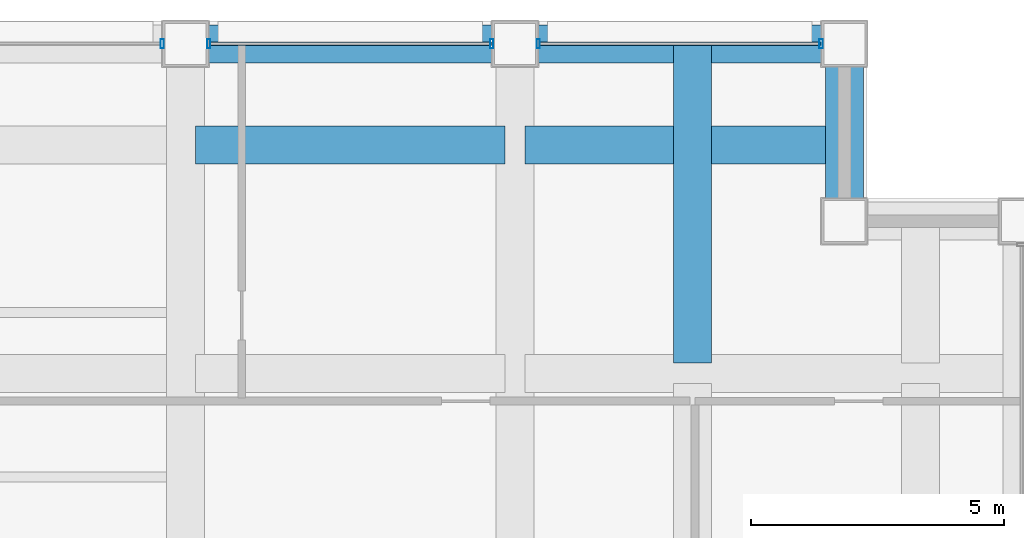
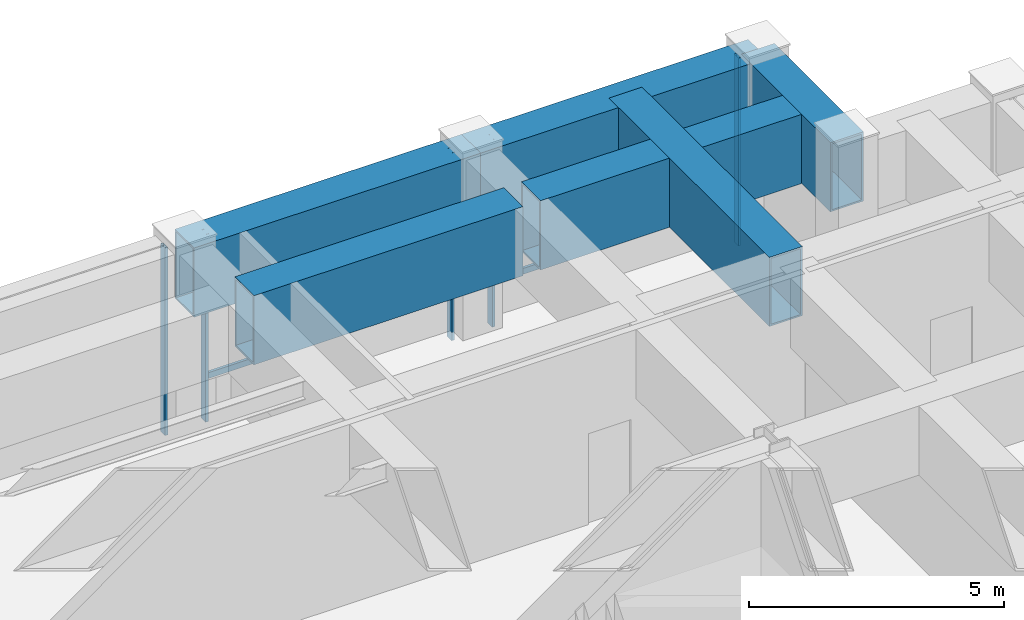
# One storey, part 22 of 29: 7 members, 6 beams, 3 elements without a shape of their own.
"""IFC4 building model written with IfcOpenShell, lengths in metres."""

from ifc_helpers import new_model, si_unit, direction, frame, origin, origin_2d, place, context, subcontext, project, spatial, hollow_rectangle, extrude, material, layer, layer_set, material_profile, profile_set, type_object, element, aggregate, save


model = new_model("IFC4")

# Units and contexts
model_context = context("Model", 3, precision=1e-05, world=origin(), true_north=direction((0.0, 1.0)))
body_context = subcontext(model_context, "Body", "Model", "MODEL_VIEW")
ifc_project = project(units=[si_unit("LENGTHUNIT", "METRE"), si_unit("AREAUNIT", "SQUARE_METRE"), si_unit("VOLUMEUNIT", "CUBIC_METRE"), si_unit("PLANEANGLEUNIT", "RADIAN"), si_unit("MASSUNIT", "GRAM", prefix="KILO")], contexts=[model_context])

# Site, building, storey
site_placement = place(None, origin())
site = spatial("IfcSite", under=ifc_project, at=site_placement, CompositionType="ELEMENT")
building_placement = place(site_placement, origin())
building = spatial("IfcBuilding", under=site, at=building_placement, Name="Brelmoor Portico Tower", CompositionType="ELEMENT")
storey_placement = place(building_placement, frame((0.0, 0.0, 82.800048828125)))
storey = spatial("IfcBuildingStorey", under=building, at=storey_placement, Name="L21", CompositionType="ELEMENT", Elevation=82.800048828125)

# Beams
ifc_material_1 = material(Name="Steel Q355B", Category="steel")
ifc_material_profile_1 = material_profile(ifc_material_1, hollow_rectangle(XDim=0.75, YDim=1.659912109375, WallThickness=0.0419921875, at=origin_2d()), Name="BOX 750x1660x42")
ifc_profile_set_1 = profile_set([ifc_material_profile_1], Name="Steel Q355B")
beam_type = type_object("IfcBeamType", Name="BM-TG-Z2", PredefinedType="BEAM", material=ifc_profile_set_1)
for number, where, z_axis, x_axis, name in (
    (1, (8.050048828125, 21.550048828125, 3.469970703125), (1.0, 0.0, 0.0), (0.0, 1.0, 0.0), "L21 Perimeter Transfer Beam SP-13"),
    (2, (14.550048828125, 21.550048828125, 3.469970703125), (1.0, 0.0, 0.0), (0.0, 1.0, 0.0), "L21 Perimeter Transfer Beam SP-14"),
):
    element("IfcBeam", number, at=place(storey_placement, frame(where, z_axis=z_axis, x_axis=x_axis)), inside=storey, type_object=beam_type, Name=name, PredefinedType="BEAM", context=body_context, shape_type="SweptSolid", body=[
        extrude(hollow_rectangle(XDim=0.75, YDim=1.659912109375, WallThickness=0.0419921875, at=origin_2d()), origin(), (0.0, 0.0, 1.0), 6.5),
    ])
beam_1_placement = place(storey_placement, frame((21.050048828125, 18.050048828125, 3.469970703125), z_axis=(0.0, 1.0, 0.0), x_axis=(-1.0, 0.0, 0.0)))
element("IfcBeam", 3, at=beam_1_placement, inside=storey, type_object=beam_type, Name="L21 Perimeter Transfer Beam SP-21", PredefinedType="BEAM", context=body_context, shape_type="SweptSolid", body=[
    extrude(hollow_rectangle(XDim=0.75, YDim=1.659912109375, WallThickness=0.0419921875, at=origin_2d()), origin(), (0.0, 0.0, 1.0), 3.5),
])
beam_2_placement = place(storey_placement, frame((8.25, 19.550048828125, 3.469970703125), z_axis=(1.0, 0.0, 0.0), x_axis=(0.0, 1.0, 0.0)))
element("IfcBeam", 4, at=beam_2_placement, inside=storey, type_object=beam_type, Name="L21 Setback Transfer Girder TGN-09", PredefinedType="BEAM", context=body_context, shape_type="SweptSolid", body=[
    extrude(hollow_rectangle(XDim=0.75, YDim=1.659912109375, WallThickness=0.0419921875, at=origin_2d()), origin(), (0.0, 0.0, 1.0), 6.10009765625),
])
for number, where, z_axis, x_axis, name in (
    (5, (14.75, 19.550048828125, 3.469970703125), (1.0, 0.0, 0.0), (0.0, 1.0, 0.0), "L21 Setback Transfer Girder TGN-10"),
    (6, (18.050048828125, 15.25, 3.469970703125), (0.0, 1.0, 0.0), (-1.0, 0.0, 0.0), "L21 Setback Transfer Girder TGN-30"),
):
    element("IfcBeam", number, at=place(storey_placement, frame(where, z_axis=z_axis, x_axis=x_axis)), inside=storey, type_object=beam_type, Name=name, PredefinedType="BEAM", context=body_context, shape_type="SweptSolid", body=[
        extrude(hollow_rectangle(XDim=0.75, YDim=1.659912109375, WallThickness=0.0419921875, at=origin_2d()), origin(), (0.0, 0.0, 1.0), 6.300048828125),
    ])

# Curtain wall, member
ifc_material_2 = material(Name="Anodised Aluminium Alloy 6063-T6", Category="aluminium")
ifc_layer = layer(ifc_material_2, 0.179931640625)
ifc_layer_set = layer_set([ifc_layer], Name="Anodised Aluminium Alloy 6063-T6")
curtain_wall_type = type_object("IfcCurtainWallType", Name="CW-TOWER-Z1", PredefinedType="NOTDEFINED", material=ifc_layer_set)
curtain_wall_1_placement = place(storey_placement, origin())
curtain_wall_1 = element("IfcCurtainWall", 7, at=curtain_wall_1_placement, inside=storey, type_object=curtain_wall_type, Name="L21 Curtain Wall CW-L21-02-3", PredefinedType="NOTDEFINED")
ifc_material_profile_2 = material_profile(ifc_material_2, hollow_rectangle(XDim=0.06494140625, YDim=0.179931640625, WallThickness=0.00390625, at=origin_2d()), Name="ALU MULLION 65x180")
ifc_profile_set_2 = profile_set([ifc_material_profile_2], Name="Anodised Aluminium Alloy 6063-T6")
member_type_1 = type_object("IfcMemberType", Name="MB-CW-MULL-180", PredefinedType="MULLION", material=ifc_profile_set_2)
member_1_placement = place(storey_placement, frame((7.590087890625, 21.550048828125, -0.199951171875), z_axis=(0.0, 0.0, 1.0), x_axis=(1.0, 0.0, 0.0)))
member_1 = element("IfcMember", 8, at=member_1_placement, type_object=member_type_1, Name="CW-L21-02-3 Mullion 01", PredefinedType="MULLION", context=body_context, shape_type="SweptSolid", body=[
    extrude(hollow_rectangle(XDim=0.06494140625, YDim=0.179931640625, WallThickness=0.00390625, at=origin_2d()), origin(), (0.0, 0.0, 1.0), 4.5),
])
aggregate(curtain_wall_1, [member_1])

# Curtain wall, members
curtain_wall_2_placement = place(storey_placement, origin())
curtain_wall_2 = element("IfcCurtainWall", 9, at=curtain_wall_2_placement, inside=storey, type_object=curtain_wall_type, Name="L21 Curtain Wall CW-L21-02-4", PredefinedType="NOTDEFINED")
member_2_placement = place(storey_placement, frame((8.510009765625, 21.550048828125, -0.199951171875), z_axis=(0.0, 0.0, 1.0), x_axis=(1.0, 0.0, 0.0)))
member_2 = element("IfcMember", 10, at=member_2_placement, type_object=member_type_1, Name="CW-L21-02-4 Mullion 00", PredefinedType="MULLION", context=body_context, shape_type="SweptSolid", body=[
    extrude(hollow_rectangle(XDim=0.06494140625, YDim=0.179931640625, WallThickness=0.00390625, at=origin_2d()), origin(), (0.0, 0.0, 1.0), 4.5),
])
member_3_placement = place(storey_placement, frame((14.090087890625, 21.550048828125, -0.199951171875), z_axis=(0.0, 0.0, 1.0), x_axis=(1.0, 0.0, 0.0)))
member_3 = element("IfcMember", 11, at=member_3_placement, type_object=member_type_1, Name="CW-L21-02-4 Mullion 01", PredefinedType="MULLION", context=body_context, shape_type="SweptSolid", body=[
    extrude(hollow_rectangle(XDim=0.06494140625, YDim=0.179931640625, WallThickness=0.00390625, at=origin_2d()), origin(), (0.0, 0.0, 1.0), 4.5),
])

curtain_wall_3_placement = place(storey_placement, origin())
curtain_wall_3 = element("IfcCurtainWall", 12, at=curtain_wall_3_placement, inside=storey, type_object=curtain_wall_type, Name="L21 Curtain Wall CW-L21-02-5", PredefinedType="NOTDEFINED")
member_4_placement = place(storey_placement, frame((15.010009765625, 21.550048828125, -0.199951171875), z_axis=(0.0, 0.0, 1.0), x_axis=(1.0, 0.0, 0.0)))
member_4 = element("IfcMember", 13, at=member_4_placement, type_object=member_type_1, Name="CW-L21-02-5 Mullion 00", PredefinedType="MULLION", context=body_context, shape_type="SweptSolid", body=[
    extrude(hollow_rectangle(XDim=0.06494140625, YDim=0.179931640625, WallThickness=0.00390625, at=origin_2d()), origin(), (0.0, 0.0, 1.0), 4.5),
])
member_5_placement = place(storey_placement, frame((20.590087890625, 21.550048828125, -0.199951171875), z_axis=(0.0, 0.0, 1.0), x_axis=(1.0, 0.0, 0.0)))
member_5 = element("IfcMember", 14, at=member_5_placement, type_object=member_type_1, Name="CW-L21-02-5 Mullion 01", PredefinedType="MULLION", context=body_context, shape_type="SweptSolid", body=[
    extrude(hollow_rectangle(XDim=0.06494140625, YDim=0.179931640625, WallThickness=0.00390625, at=origin_2d()), origin(), (0.0, 0.0, 1.0), 4.5),
])

# Member
ifc_material_profile_3 = material_profile(ifc_material_2, hollow_rectangle(XDim=0.06494140625, YDim=0.139892578125, WallThickness=0.00390625, at=origin_2d()), Name="ALU TRANSOM 65x140")
ifc_profile_set_3 = profile_set([ifc_material_profile_3], Name="Anodised Aluminium Alloy 6063-T6")
member_type_2 = type_object("IfcMemberType", Name="MB-CW-TRAN-140", PredefinedType="USERDEFINED", material=ifc_profile_set_3)
member_6_placement = place(storey_placement, frame((8.510009765625, 21.550048828125, 0.849853515625), z_axis=(1.0, 0.0, 0.0), x_axis=(0.0, 1.0, 0.0)))
member_6 = element("IfcMember", 15, at=member_6_placement, type_object=member_type_2, Name="CW-L21-02-4 Transom 1-00", ObjectType="TRANSOM", PredefinedType="USERDEFINED", context=body_context, shape_type="SweptSolid", body=[
    extrude(hollow_rectangle(XDim=0.06494140625, YDim=0.139892578125, WallThickness=0.00390625, at=origin_2d()), origin(), (0.0, 0.0, 1.0), 5.580078125),
])

aggregate(curtain_wall_2, [member_2, member_3, member_6])

member_7_placement = place(storey_placement, frame((15.010009765625, 21.550048828125, 0.849853515625), z_axis=(1.0, 0.0, 0.0), x_axis=(0.0, 1.0, 0.0)))
member_7 = element("IfcMember", 16, at=member_7_placement, type_object=member_type_2, Name="CW-L21-02-5 Transom 1-00", ObjectType="TRANSOM", PredefinedType="USERDEFINED", context=body_context, shape_type="SweptSolid", body=[
    extrude(hollow_rectangle(XDim=0.06494140625, YDim=0.139892578125, WallThickness=0.00390625, at=origin_2d()), origin(), (0.0, 0.0, 1.0), 5.580078125),
])

aggregate(curtain_wall_3, [member_4, member_5, member_7])

save(model, "model.ifc")
